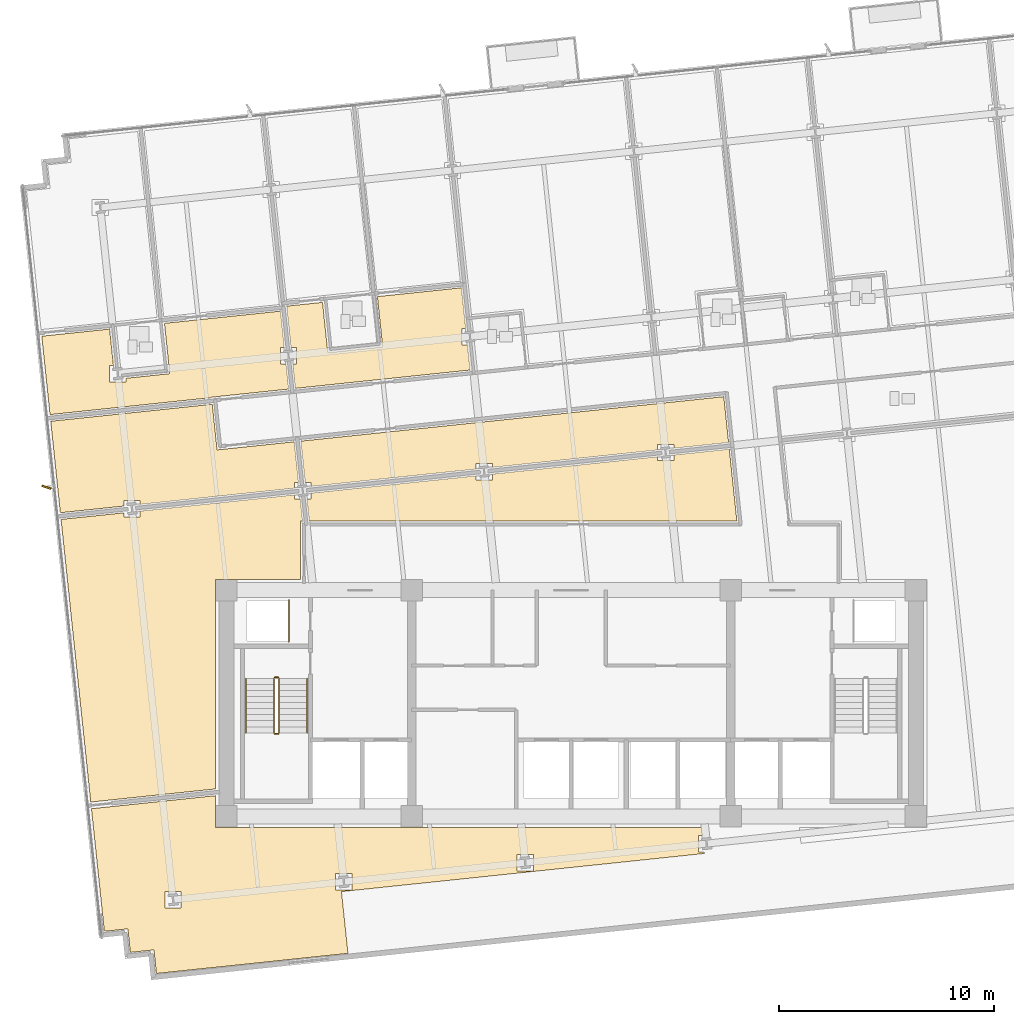
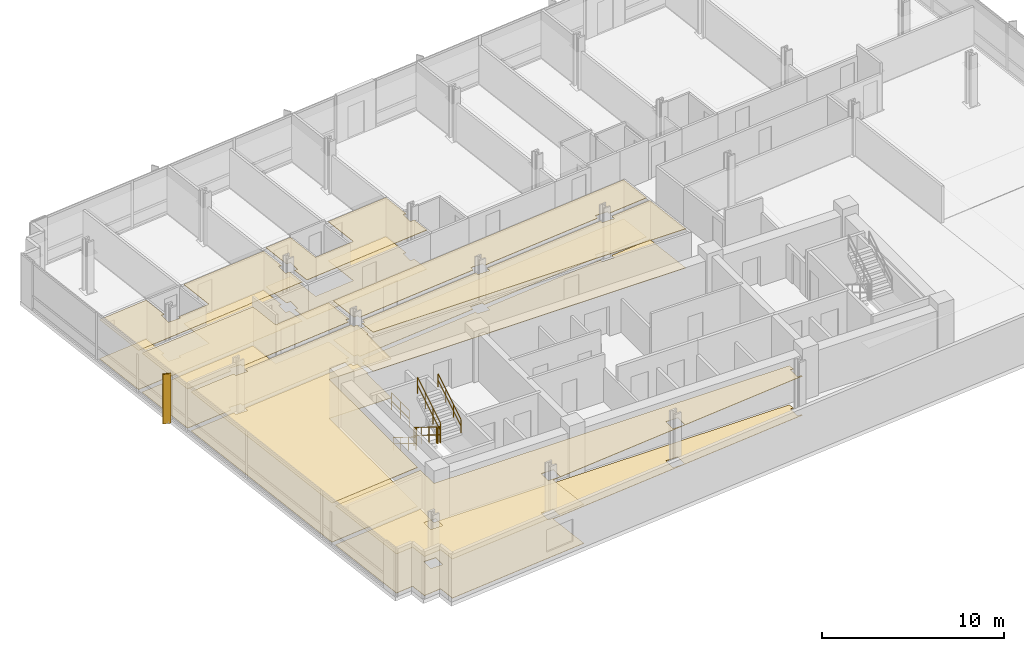
# One storey, part 14 of 17: 14 coverings, 7 railings, 1 shading device.
"""IFC4 building model written with IfcOpenShell, lengths in metres."""

from ifc_helpers import new_model, si_unit, direction, frame, origin, origin_2d, place, context, subcontext, project, spatial, polyline, rectangle, circle, outline, extrude, material, layer, layer_set, type_object, element, save


model = new_model("IFC4")

# Units and contexts
model_context = context("Model", 3, precision=1e-05, world=origin(), true_north=direction((0.0, 1.0)))
body_context = subcontext(model_context, "Body", "Model", "MODEL_VIEW")
ifc_project = project(units=[si_unit("LENGTHUNIT", "METRE"), si_unit("AREAUNIT", "SQUARE_METRE"), si_unit("VOLUMEUNIT", "CUBIC_METRE"), si_unit("PLANEANGLEUNIT", "RADIAN"), si_unit("MASSUNIT", "GRAM", prefix="KILO")], contexts=[model_context])

# Site, building, storey
site_placement = place(None, origin())
site = spatial("IfcSite", under=ifc_project, at=site_placement, CompositionType="ELEMENT")
building_placement = place(site_placement, origin())
building = spatial("IfcBuilding", under=site, at=building_placement, Name="Solmavex Isthmus Hotel", CompositionType="ELEMENT")
storey_placement = place(building_placement, frame((0.0, 0.0, 116.699951171875)))
storey = spatial("IfcBuildingStorey", under=building, at=storey_placement, Name="L31", CompositionType="ELEMENT", Elevation=116.699951171875)

# Coverings
ifc_material_1 = material(Name="Gypsum plasterboard lining", Category="gypsum")
ifc_layer_1 = layer(ifc_material_1, 0.030029296875)
ifc_layer_set_1 = layer_set([ifc_layer_1], Name="Gypsum plasterboard lining")
covering_type_1 = type_object("IfcCoveringType", Name="COV-CEIL-GYP", PredefinedType="CEILING", material=ifc_layer_set_1)
covering_1_placement = place(storey_placement, frame((0.0, 0.0, 2.6201171875)))
element("IfcCovering", 1, at=covering_1_placement, inside=storey, type_object=covering_type_1, Name="Suspended Acoustic Ceiling L31-SH01-LV", PredefinedType="CEILING", context=body_context, shape_type="SweptSolid", body=[
    extrude(outline(polyline([(-21.42041015625, 9.615966796875), (-24.567138671875, 9.28515625), (-24.184814453125, 5.647216796875), (-16.688232421875, 6.43505859375), (-16.690185546875, 6.455078125), (-13.10986328125, 6.831298828125), (-13.23291015625, 8.002197265625), (-13.4970703125, 8.002197265625), (-13.4970703125, 8.76220703125), (-13.31298828125, 8.76220703125), (-13.490234375, 10.449462890625), (-18.87451171875, 9.883544921875), (-18.62890625, 7.54638671875), (-20.661376953125, 7.332763671875), (-20.661376953125, 7.169189453125), (-21.42138671875, 7.169189453125), (-21.42138671875, 7.92919921875), (-21.2431640625, 7.92919921875), (-21.42041015625, 9.615966796875)])), origin(), (0.0, 0.0, 1.0), 0.030029296875),
])
covering_2_placement = place(storey_placement, frame((0.0, 0.0, 2.6201171875)))
element("IfcCovering", 2, at=covering_2_placement, inside=storey, type_object=covering_type_1, Name="Suspended Acoustic Ceiling L31-ST02-FY", PredefinedType="CEILING", context=body_context, shape_type="SweptSolid", body=[
    extrude(outline(polyline([(-4.8134765625, 8.886962890625), (-5.077392578125, 8.886962890625), (-5.077392578125, 9.64697265625), (-4.893310546875, 9.64697265625), (-5.091552734375, 11.533203125), (-8.992919921875, 11.123291015625), (-8.747314453125, 8.7861328125), (-11.29345703125, 8.5185546875), (-11.5390625, 10.855712890625), (-13.202880859375, 10.6806640625), (-13.001220703125, 8.76220703125), (-12.737060546875, 8.76220703125), (-12.737060546875, 8.002197265625), (-12.92138671875, 8.002197265625), (-12.8017578125, 6.86376953125), (-4.6904296875, 7.71630859375), (-4.8134765625, 8.886962890625)])), origin(), (0.0, 0.0, 1.0), 0.030029296875),
])
covering_3_placement = place(storey_placement, frame((0.0, 0.0, 2.6201171875)))
element("IfcCovering", 3, at=covering_3_placement, inside=storey, type_object=covering_type_1, Name="Suspended Acoustic Ceiling L31-FL09", PredefinedType="CEILING", context=body_context, shape_type="SweptSolid", body=[
    extrude(outline(polyline([(-12.8388671875, 2.234619140625), (-12.8388671875, 2.49853515625), (-12.654541015625, 2.49853515625), (-12.852783203125, 4.384765625), (-16.43310546875, 4.008544921875), (-16.65576171875, 6.126953125), (-24.15234375, 5.3388671875), (-23.7060546875, 1.09228515625), (-20.76318359375, 1.401611328125), (-20.76318359375, 1.665771484375), (-20.003173828125, 1.665771484375), (-20.003173828125, 1.4814453125), (-12.8388671875, 2.234619140625)])), origin(), (0.0, 0.0, 1.0), 0.030029296875),
])
covering_4_placement = place(storey_placement, frame((0.0, 0.0, 2.6201171875)))
element("IfcCovering", 4, at=covering_4_placement, inside=storey, type_object=covering_type_1, Name="Suspended Acoustic Ceiling L31-FL10", PredefinedType="CEILING", context=body_context, shape_type="SweptSolid", body=[
    extrude(outline(polyline([(4.00048828125, 4.00439453125), (4.00048828125, 4.2685546875), (4.760498046875, 4.2685546875), (4.760498046875, 4.084228515625), (7.30615234375, 4.351806640625), (7.082275390625, 6.480224609375), (-12.54443359375, 4.417236328125), (-12.3427734375, 2.49853515625), (-12.078857421875, 2.49853515625), (-12.078857421875, 2.314453125), (-4.419189453125, 3.119384765625), (-4.419189453125, 3.383544921875), (-3.6591796875, 3.383544921875), (-3.6591796875, 3.199462890625), (4.00048828125, 4.00439453125)])), origin(), (0.0, 0.0, 1.0), 0.030029296875),
])
covering_5_placement = place(storey_placement, frame((0.0, 0.0, 2.6201171875)))
element("IfcCovering", 5, at=covering_5_placement, inside=storey, type_object=covering_type_1, Name="Suspended Acoustic Ceiling L31-FL11", PredefinedType="CEILING", context=body_context, shape_type="SweptSolid", body=[
    extrude(outline(polyline([(-12.078857421875, 2.002685546875), (-12.078857421875, 1.738525390625), (-12.262939453125, 1.738525390625), (-12.154296875, 0.705078125), (7.689453125, 0.705078125), (7.33837890625, 4.04345703125), (4.760498046875, 3.7724609375), (4.760498046875, 3.508544921875), (4.00048828125, 3.508544921875), (4.00048828125, 3.692626953125), (-3.6591796875, 2.8876953125), (-3.6591796875, 2.62353515625), (-4.419189453125, 2.62353515625), (-4.419189453125, 2.807861328125), (-12.078857421875, 2.002685546875)])), origin(), (0.0, 0.0, 1.0), 0.030029296875),
])
covering_6_placement = place(storey_placement, frame((0.0, 0.0, 2.6201171875)))
element("IfcCovering", 6, at=covering_6_placement, inside=storey, type_object=covering_type_1, Name="Suspended Acoustic Ceiling L31-FL12", PredefinedType="CEILING", context=body_context, shape_type="SweptSolid", body=[
    extrude(outline(polyline([(-20.003173828125, 1.169921875), (-20.003173828125, 0.90576171875), (-20.76318359375, 0.90576171875), (-20.76318359375, 1.08984375), (-23.673583984375, 0.783935546875), (-22.82763671875, -7.2666015625), (-22.294921875, -12.333740234375), (-16.5048828125, -11.72509765625), (-16.5048828125, -1.9951171875), (-12.554931640625, -1.9951171875), (-12.554931640625, 0.705078125), (-12.466064453125, 0.705078125), (-12.57470703125, 1.738525390625), (-12.8388671875, 1.738525390625), (-12.8388671875, 1.9228515625), (-20.003173828125, 1.169921875)])), origin(), (0.0, 0.0, 1.0), 0.030029296875),
])
covering_7_placement = place(storey_placement, frame((0.0, 0.0, 2.6201171875)))
element("IfcCovering", 7, at=covering_7_placement, inside=storey, type_object=covering_type_1, Name="Suspended Acoustic Ceiling L31-FL13", PredefinedType="CEILING", context=body_context, shape_type="SweptSolid", body=[
    extrude(outline(polyline([(6.172119140625, -14.6416015625), (5.908203125, -14.6416015625), (5.908203125, -13.881591796875), (6.09228515625, -13.881591796875), (6.052734375, -13.5048828125), (-16.5048828125, -13.5048828125), (-16.5048828125, -12.036865234375), (-22.262451171875, -12.64208984375), (-21.7509765625, -17.51025390625), (-21.719482421875, -17.80859375), (-21.66455078125, -18.33056640625), (-20.57080078125, -18.2158203125), (-20.455810546875, -19.3095703125), (-19.36181640625, -19.194580078125), (-19.246826171875, -20.28857421875), (-18.42626953125, -20.202392578125), (-10.357666015625, -19.3544921875), (-10.65869140625, -16.490234375), (6.180419921875, -14.72021484375), (6.172119140625, -14.6416015625)]), holes=[polyline([(-2.511474609375, -15.5263671875), (-2.511474609375, -14.766357421875), (-1.75146484375, -14.766357421875), (-1.75146484375, -15.5263671875), (-2.511474609375, -15.5263671875)]), polyline([(-10.93115234375, -16.411376953125), (-10.93115234375, -15.6513671875), (-10.171142578125, -15.6513671875), (-10.171142578125, -16.411376953125), (-10.93115234375, -16.411376953125)]), polyline([(-18.85546875, -17.244384765625), (-18.85546875, -16.484375), (-18.095458984375, -16.484375), (-18.095458984375, -17.244384765625), (-18.85546875, -17.244384765625)])]), origin(), (0.0, 0.0, 1.0), 0.030029296875),
])
ifc_material_2 = material(Name="Travertine natural stone", Category="masonry")
ifc_layer_2 = layer(ifc_material_2, 0.02490234375)
ifc_layer_set_2 = layer_set([ifc_layer_2], Name="Travertine natural stone")
covering_type_2 = type_object("IfcCoveringType", Name="COV-FLOR-STN", PredefinedType="FLOORING", material=ifc_layer_set_2)
covering_8_placement = place(storey_placement, origin())
element("IfcCovering", 8, at=covering_8_placement, inside=storey, type_object=covering_type_2, Name="Stone and Timber Floor Finish L31-SH01-LV", PredefinedType="FLOORING", context=body_context, shape_type="SweptSolid", body=[
    extrude(outline(polyline([(-21.42041015625, 9.615966796875), (-24.567138671875, 9.28515625), (-24.184814453125, 5.647216796875), (-16.688232421875, 6.43505859375), (-16.690185546875, 6.455078125), (-13.10986328125, 6.831298828125), (-13.23291015625, 8.002197265625), (-13.4970703125, 8.002197265625), (-13.4970703125, 8.76220703125), (-13.31298828125, 8.76220703125), (-13.490234375, 10.449462890625), (-18.87451171875, 9.883544921875), (-18.62890625, 7.54638671875), (-20.661376953125, 7.332763671875), (-20.661376953125, 7.169189453125), (-21.42138671875, 7.169189453125), (-21.42138671875, 7.92919921875), (-21.2431640625, 7.92919921875), (-21.42041015625, 9.615966796875)])), origin(), (0.0, 0.0, 1.0), 0.025146484375),
])
covering_9_placement = place(storey_placement, origin())
element("IfcCovering", 9, at=covering_9_placement, inside=storey, type_object=covering_type_2, Name="Stone and Timber Floor Finish L31-ST02-FY", PredefinedType="FLOORING", context=body_context, shape_type="SweptSolid", body=[
    extrude(outline(polyline([(-4.8134765625, 8.886962890625), (-5.077392578125, 8.886962890625), (-5.077392578125, 9.64697265625), (-4.893310546875, 9.64697265625), (-5.091552734375, 11.533203125), (-8.992919921875, 11.123291015625), (-8.747314453125, 8.7861328125), (-11.29345703125, 8.5185546875), (-11.5390625, 10.855712890625), (-13.202880859375, 10.6806640625), (-13.001220703125, 8.76220703125), (-12.737060546875, 8.76220703125), (-12.737060546875, 8.002197265625), (-12.92138671875, 8.002197265625), (-12.8017578125, 6.86376953125), (-4.6904296875, 7.71630859375), (-4.8134765625, 8.886962890625)])), origin(), (0.0, 0.0, 1.0), 0.025146484375),
])
covering_10_placement = place(storey_placement, origin())
element("IfcCovering", 10, at=covering_10_placement, inside=storey, type_object=covering_type_2, Name="Stone and Timber Floor Finish L31-FL09", PredefinedType="FLOORING", context=body_context, shape_type="SweptSolid", body=[
    extrude(outline(polyline([(-12.8388671875, 2.234619140625), (-12.8388671875, 2.49853515625), (-12.654541015625, 2.49853515625), (-12.852783203125, 4.384765625), (-16.43310546875, 4.008544921875), (-16.65576171875, 6.126953125), (-24.15234375, 5.3388671875), (-23.7060546875, 1.09228515625), (-20.76318359375, 1.401611328125), (-20.76318359375, 1.665771484375), (-20.003173828125, 1.665771484375), (-20.003173828125, 1.4814453125), (-12.8388671875, 2.234619140625)])), origin(), (0.0, 0.0, 1.0), 0.025146484375),
])
covering_11_placement = place(storey_placement, origin())
element("IfcCovering", 11, at=covering_11_placement, inside=storey, type_object=covering_type_2, Name="Stone and Timber Floor Finish L31-FL10", PredefinedType="FLOORING", context=body_context, shape_type="SweptSolid", body=[
    extrude(outline(polyline([(4.00048828125, 4.00439453125), (4.00048828125, 4.2685546875), (4.760498046875, 4.2685546875), (4.760498046875, 4.084228515625), (7.30615234375, 4.351806640625), (7.082275390625, 6.480224609375), (-12.54443359375, 4.417236328125), (-12.3427734375, 2.49853515625), (-12.078857421875, 2.49853515625), (-12.078857421875, 2.314453125), (-4.419189453125, 3.119384765625), (-4.419189453125, 3.383544921875), (-3.6591796875, 3.383544921875), (-3.6591796875, 3.199462890625), (4.00048828125, 4.00439453125)])), origin(), (0.0, 0.0, 1.0), 0.025146484375),
])
covering_12_placement = place(storey_placement, origin())
element("IfcCovering", 12, at=covering_12_placement, inside=storey, type_object=covering_type_2, Name="Stone and Timber Floor Finish L31-FL11", PredefinedType="FLOORING", context=body_context, shape_type="SweptSolid", body=[
    extrude(outline(polyline([(-12.078857421875, 2.002685546875), (-12.078857421875, 1.738525390625), (-12.262939453125, 1.738525390625), (-12.154296875, 0.705078125), (7.689453125, 0.705078125), (7.33837890625, 4.04345703125), (4.760498046875, 3.7724609375), (4.760498046875, 3.508544921875), (4.00048828125, 3.508544921875), (4.00048828125, 3.692626953125), (-3.6591796875, 2.8876953125), (-3.6591796875, 2.62353515625), (-4.419189453125, 2.62353515625), (-4.419189453125, 2.807861328125), (-12.078857421875, 2.002685546875)])), origin(), (0.0, 0.0, 1.0), 0.025146484375),
])
covering_13_placement = place(storey_placement, origin())
element("IfcCovering", 13, at=covering_13_placement, inside=storey, type_object=covering_type_2, Name="Stone and Timber Floor Finish L31-FL12", PredefinedType="FLOORING", context=body_context, shape_type="SweptSolid", body=[
    extrude(outline(polyline([(-20.003173828125, 1.169921875), (-20.003173828125, 0.90576171875), (-20.76318359375, 0.90576171875), (-20.76318359375, 1.08984375), (-23.673583984375, 0.783935546875), (-22.82763671875, -7.2666015625), (-22.294921875, -12.333740234375), (-16.5048828125, -11.72509765625), (-16.5048828125, -1.9951171875), (-12.554931640625, -1.9951171875), (-12.554931640625, 0.705078125), (-12.466064453125, 0.705078125), (-12.57470703125, 1.738525390625), (-12.8388671875, 1.738525390625), (-12.8388671875, 1.9228515625), (-20.003173828125, 1.169921875)])), origin(), (0.0, 0.0, 1.0), 0.025146484375),
])
covering_14_placement = place(storey_placement, origin())
element("IfcCovering", 14, at=covering_14_placement, inside=storey, type_object=covering_type_2, Name="Stone and Timber Floor Finish L31-FL13", PredefinedType="FLOORING", context=body_context, shape_type="SweptSolid", body=[
    extrude(outline(polyline([(6.172119140625, -14.6416015625), (5.908203125, -14.6416015625), (5.908203125, -13.881591796875), (6.09228515625, -13.881591796875), (6.052734375, -13.5048828125), (-16.5048828125, -13.5048828125), (-16.5048828125, -12.036865234375), (-22.262451171875, -12.64208984375), (-21.7509765625, -17.51025390625), (-21.719482421875, -17.80859375), (-21.66455078125, -18.33056640625), (-20.57080078125, -18.2158203125), (-20.455810546875, -19.3095703125), (-19.36181640625, -19.194580078125), (-19.246826171875, -20.28857421875), (-18.42626953125, -20.202392578125), (-10.357666015625, -19.3544921875), (-10.65869140625, -16.490234375), (6.180419921875, -14.72021484375), (6.172119140625, -14.6416015625)]), holes=[polyline([(-2.511474609375, -15.5263671875), (-2.511474609375, -14.766357421875), (-1.75146484375, -14.766357421875), (-1.75146484375, -15.5263671875), (-2.511474609375, -15.5263671875)]), polyline([(-10.93115234375, -16.411376953125), (-10.93115234375, -15.6513671875), (-10.171142578125, -15.6513671875), (-10.171142578125, -16.411376953125), (-10.93115234375, -16.411376953125)]), polyline([(-18.85546875, -17.244384765625), (-18.85546875, -16.484375), (-18.095458984375, -16.484375), (-18.095458984375, -17.244384765625), (-18.85546875, -17.244384765625)])]), origin(), (0.0, 0.0, 1.0), 0.025146484375),
])

# Railings
ifc_material_3 = material(Name="Clear low-E laminated glass", Category="glass")
ifc_layer_3 = layer(ifc_material_3, 0.080078125)
ifc_layer_set_3 = layer_set([ifc_layer_3], Name="Clear low-E laminated glass")
railing_type_1 = type_object("IfcRailingType", Name="RAIL-ATRIUM-1120", PredefinedType="BALUSTRADE", material=ifc_layer_set_3)
railing_1_placement = place(storey_placement, frame((-13.10009765625, -4.89990234375, 0.0)))
element("IfcRailing", 15, at=railing_1_placement, inside=storey, type_object=railing_type_1, Name="Guardrail Balustrade L31-RSW-01", PredefinedType="BALUSTRADE", context=body_context, shape_type="SweptSolid", body=[
    extrude(circle(Radius=0.02392578125, at=origin_2d()), frame((0.0, 0.0, 1.1259765625), z_axis=(0.0, 1.0, 0.0), x_axis=(-1.0, 0.0, 0.0)), (0.0, 0.0, 1.0), 1.949951171875),
    extrude(circle(Radius=0.02392578125, at=origin_2d()), frame((0.0, 0.0, 0.574951171875), z_axis=(0.0, 1.0, 0.0), x_axis=(-1.0, 0.0, 0.0)), (0.0, 0.0, 1.0), 1.949951171875),
    extrude(circle(Radius=0.02099609375, at=origin_2d()), origin(), (0.0, 0.0, 1.0), 1.101806640625),
    extrude(circle(Radius=0.02099609375, at=origin_2d()), frame((0.0, 0.97509765625, 0.0)), (0.0, 0.0, 1.0), 1.101806640625),
    extrude(circle(Radius=0.02099609375, at=origin_2d()), frame((0.0, 1.949951171875, 0.0)), (0.0, 0.0, 1.0), 1.101806640625),
])
ifc_material_4 = material(Name="Stainless steel 316", Category="steel")
ifc_layer_4 = layer(ifc_material_4, 0.06005859375)
ifc_layer_set_4 = layer_set([ifc_layer_4], Name="Stainless steel 316")
railing_type_2 = type_object("IfcRailingType", Name="RAIL-STAIR-GD", PredefinedType="GUARDRAIL", material=ifc_layer_set_4)
railing_2_placement = place(storey_placement, frame((-13.800048828125, -6.60009765625, 0.172607421875)))
element("IfcRailing", 16, at=railing_2_placement, inside=storey, type_object=railing_type_2, Name="L31 ST-1 stair guard 1", PredefinedType="GUARDRAIL", context=body_context, shape_type="SweptSolid", body=[
    extrude(circle(Radius=0.02392578125, at=origin_2d()), frame((0.0, 0.0, 1.09619140625), z_axis=(0.0, -0.851400495292, 0.524516154772), x_axis=(1.0, 0.0, 0.0)), (0.0, 0.0, 1.0), 2.9599609375),
    extrude(circle(Radius=0.02392578125, at=origin_2d()), frame((0.0, 0.0, 0.56005859375), z_axis=(0.0, -0.851400495292, 0.524516154772), x_axis=(1.0, 0.0, 0.0)), (0.0, 0.0, 1.0), 2.9599609375),
    extrude(circle(Radius=0.02099609375, at=origin_2d()), origin(), (0.0, 0.0, 1.0), 1.072021484375),
    extrude(circle(Radius=0.02099609375, at=origin_2d()), frame((0.0, -0.840087890625, 0.517578125)), (0.0, 0.0, 1.0), 1.072021484375),
    extrude(circle(Radius=0.02099609375, at=origin_2d()), frame((0.0, -1.679931640625, 1.034912109375)), (0.0, 0.0, 1.0), 1.072021484375),
    extrude(circle(Radius=0.02099609375, at=origin_2d()), frame((0.0, -2.52001953125, 1.552490234375)), (0.0, 0.0, 1.0), 1.072021484375),
])
railing_3_placement = place(storey_placement, frame((-13.75, -9.169921875, 1.72509765625)))
element("IfcRailing", 17, at=railing_3_placement, inside=storey, type_object=railing_type_2, Name="L31 ST-1 stair guard 2", PredefinedType="GUARDRAIL", context=body_context, shape_type="SweptSolid", body=[
    extrude(circle(Radius=0.02392578125, at=origin_2d()), frame((0.0, 0.0, 1.09619140625), z_axis=(1.0, 0.0, 0.0), x_axis=(0.0, 1.0, 0.0)), (0.0, 0.0, 1.0), 0.14990234375),
    extrude(circle(Radius=0.02392578125, at=origin_2d()), frame((0.0, 0.0, 0.56005859375), z_axis=(1.0, 0.0, 0.0), x_axis=(0.0, 1.0, 0.0)), (0.0, 0.0, 1.0), 0.14990234375),
    extrude(circle(Radius=0.02099609375, at=origin_2d()), origin(), (0.0, 0.0, 1.0), 1.072021484375),
    extrude(circle(Radius=0.02099609375, at=origin_2d()), frame((0.14990234375, 0.0, 0.0)), (0.0, 0.0, 1.0), 1.072021484375),
])
railing_4_placement = place(storey_placement, frame((-13.550048828125, -9.1201171875, 1.8974609375)))
element("IfcRailing", 18, at=railing_4_placement, inside=storey, type_object=railing_type_2, Name="L31 ST-1 stair guard 3", PredefinedType="GUARDRAIL", context=body_context, shape_type="SweptSolid", body=[
    extrude(circle(Radius=0.02392578125, at=origin_2d()), frame((0.0, 0.0, 1.09619140625), z_axis=(0.0, 0.851400495292, 0.524516154772), x_axis=(-1.0, 0.0, 0.0)), (0.0, 0.0, 1.0), 2.9599609375),
    extrude(circle(Radius=0.02392578125, at=origin_2d()), frame((0.0, 0.0, 0.56005859375), z_axis=(0.0, 0.851400495292, 0.524516154772), x_axis=(-1.0, 0.0, 0.0)), (0.0, 0.0, 1.0), 2.9599609375),
    extrude(circle(Radius=0.02099609375, at=origin_2d()), origin(), (0.0, 0.0, 1.0), 1.072021484375),
    extrude(circle(Radius=0.02099609375, at=origin_2d()), frame((0.0, 0.840087890625, 0.517578125)), (0.0, 0.0, 1.0), 1.072021484375),
    extrude(circle(Radius=0.02099609375, at=origin_2d()), frame((0.0, 1.679931640625, 1.034912109375)), (0.0, 0.0, 1.0), 1.072021484375),
    extrude(circle(Radius=0.02099609375, at=origin_2d()), frame((0.0, 2.52001953125, 1.552490234375)), (0.0, 0.0, 1.0), 1.072021484375),
])
railing_5_placement = place(storey_placement, frame((-13.75, -6.550048828125, 0.0)))
element("IfcRailing", 19, at=railing_5_placement, inside=storey, type_object=railing_type_2, Name="L31 ST-1 stair guard 4", PredefinedType="GUARDRAIL", context=body_context, shape_type="SweptSolid", body=[
    extrude(circle(Radius=0.02392578125, at=origin_2d()), frame((0.0, 0.0, 1.09619140625), z_axis=(1.0, 0.0, 0.0), x_axis=(0.0, 1.0, 0.0)), (0.0, 0.0, 1.0), 0.14990234375),
    extrude(circle(Radius=0.02392578125, at=origin_2d()), frame((0.0, 0.0, 0.56005859375), z_axis=(1.0, 0.0, 0.0), x_axis=(0.0, 1.0, 0.0)), (0.0, 0.0, 1.0), 0.14990234375),
    extrude(circle(Radius=0.02099609375, at=origin_2d()), origin(), (0.0, 0.0, 1.0), 1.072021484375),
    extrude(circle(Radius=0.02099609375, at=origin_2d()), frame((0.14990234375, 0.0, 0.0)), (0.0, 0.0, 1.0), 1.072021484375),
])
ifc_layer_5 = layer(ifc_material_4, 0.050048828125)
ifc_layer_set_5 = layer_set([ifc_layer_5], Name="Stainless steel 316")
railing_type_3 = type_object("IfcRailingType", Name="RAIL-STAIR-HR", PredefinedType="HANDRAIL", material=ifc_layer_set_5)
railing_6_placement = place(storey_placement, frame((-15.10009765625, -6.60009765625, 0.172607421875)))
element("IfcRailing", 20, at=railing_6_placement, inside=storey, type_object=railing_type_3, Name="L31 ST-1 stair handrail 1", PredefinedType="HANDRAIL", context=body_context, shape_type="SweptSolid", body=[
    extrude(circle(Radius=0.02392578125, at=origin_2d()), frame((0.0, 0.0, 0.8759765625), z_axis=(0.0, -0.851400495292, 0.524516154772), x_axis=(1.0, 0.0, 0.0)), (0.0, 0.0, 1.0), 2.9599609375),
    extrude(circle(Radius=0.02392578125, at=origin_2d()), frame((0.0, 0.0, 0.449951171875), z_axis=(0.0, -0.851400495292, 0.524516154772), x_axis=(1.0, 0.0, 0.0)), (0.0, 0.0, 1.0), 2.9599609375),
    extrude(circle(Radius=0.02099609375, at=origin_2d()), origin(), (0.0, 0.0, 1.0), 0.851806640625),
    extrude(circle(Radius=0.02099609375, at=origin_2d()), frame((0.0, -0.840087890625, 0.517578125)), (0.0, 0.0, 1.0), 0.851806640625),
    extrude(circle(Radius=0.02099609375, at=origin_2d()), frame((0.0, -1.679931640625, 1.034912109375)), (0.0, 0.0, 1.0), 0.851806640625),
    extrude(circle(Radius=0.02099609375, at=origin_2d()), frame((0.0, -2.52001953125, 1.552490234375)), (0.0, 0.0, 1.0), 0.851806640625),
])
railing_7_placement = place(storey_placement, frame((-12.25, -9.1201171875, 1.8974609375)))
element("IfcRailing", 21, at=railing_7_placement, inside=storey, type_object=railing_type_3, Name="L31 ST-1 stair handrail 2", PredefinedType="HANDRAIL", context=body_context, shape_type="SweptSolid", body=[
    extrude(circle(Radius=0.02392578125, at=origin_2d()), frame((0.0, 0.0, 0.8759765625), z_axis=(0.0, 0.851400495292, 0.524516154772), x_axis=(-1.0, 0.0, 0.0)), (0.0, 0.0, 1.0), 2.9599609375),
    extrude(circle(Radius=0.02392578125, at=origin_2d()), frame((0.0, 0.0, 0.449951171875), z_axis=(0.0, 0.851400495292, 0.524516154772), x_axis=(-1.0, 0.0, 0.0)), (0.0, 0.0, 1.0), 2.9599609375),
    extrude(circle(Radius=0.02099609375, at=origin_2d()), origin(), (0.0, 0.0, 1.0), 0.851806640625),
    extrude(circle(Radius=0.02099609375, at=origin_2d()), frame((0.0, 0.840087890625, 0.517578125)), (0.0, 0.0, 1.0), 0.851806640625),
    extrude(circle(Radius=0.02099609375, at=origin_2d()), frame((0.0, 1.679931640625, 1.034912109375)), (0.0, 0.0, 1.0), 0.851806640625),
    extrude(circle(Radius=0.02099609375, at=origin_2d()), frame((0.0, 2.52001953125, 1.552490234375)), (0.0, 0.0, 1.0), 0.851806640625),
])

# Shading device
ifc_material_5 = material(Name="Aluminium alloy 6063-T6", Category="aluminium")
shading_device_type = type_object("IfcShadingDeviceType", Name="SHD-FIN-BRONZE", PredefinedType="USERDEFINED", material=ifc_material_5)
shading_device_placement = place(storey_placement, frame((-24.348388671875, 2.276611328125, -0.139892578125), z_axis=(0.0, 0.0, 1.0), x_axis=(-0.951056516295, 0.309016994375, 0.0)))
element("IfcShadingDevice", 22, at=shading_device_placement, inside=storey, type_object=shading_device_type, Name="Anodised Aluminium Solar Fin L31-W1", ObjectType="SOLAR_FIN", PredefinedType="USERDEFINED", context=body_context, shape_type="SweptSolid", body=[
    extrude(rectangle(XDim=0.449951171875, YDim=0.080078125, at=origin_2d()), origin(), (0.0, 0.0, 1.0), 3.330078125),
])

save(model, "model.ifc")
